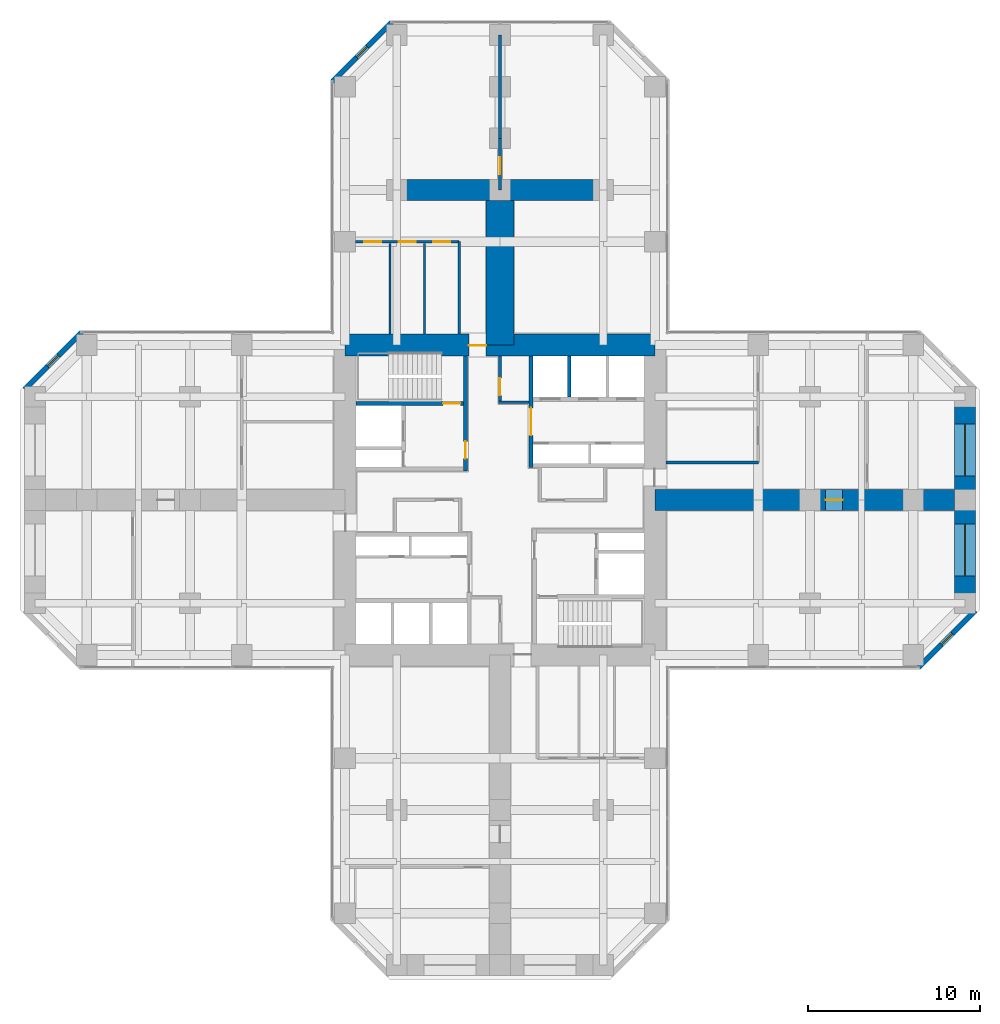
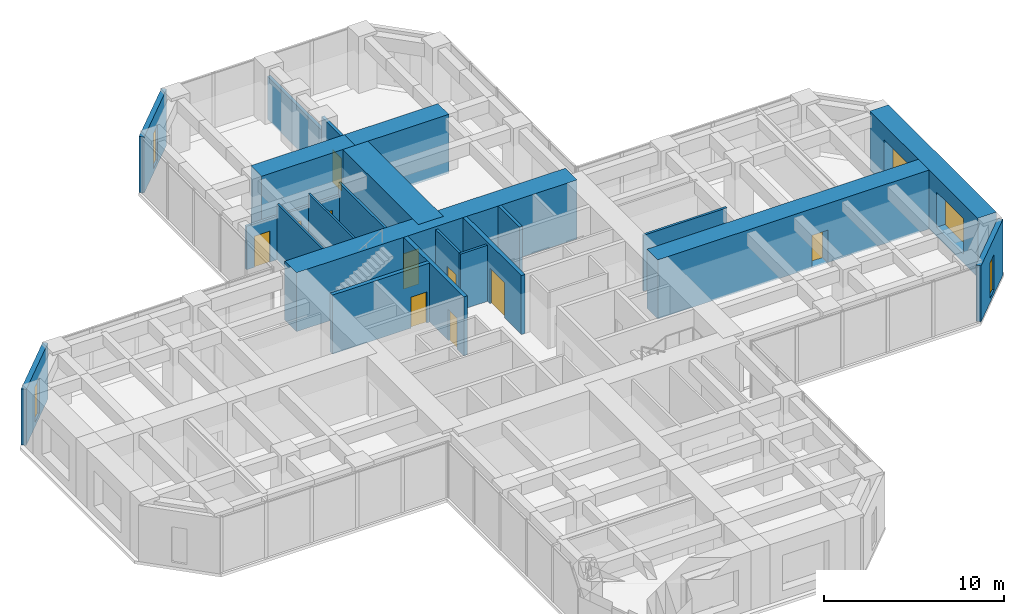
# One storey, part 10 of 12: 22 walls, 10 doors, 5 windows, 15 openings.
"""IFC4 building model written with IfcOpenShell, lengths in metres."""

from ifc_helpers import new_model, si_unit, direction, frame, frame_2d, origin, place, context, subcontext, project, spatial, rectangle, hollow_rectangle, extrude, material, layer, layer_set, constituent, constituent_set, type_object, element, fill, save


model = new_model("IFC4")

# Units and contexts
model_context = context("Model", 3, precision=1e-05, world=origin(), true_north=direction((0.0, 1.0)))
body_context = subcontext(model_context, "Body", "Model", "MODEL_VIEW")
ifc_project = project(units=[si_unit("LENGTHUNIT", "METRE"), si_unit("AREAUNIT", "SQUARE_METRE"), si_unit("VOLUMEUNIT", "CUBIC_METRE"), si_unit("PLANEANGLEUNIT", "RADIAN"), si_unit("MASSUNIT", "GRAM", prefix="KILO")], contexts=[model_context])

# Site, building, storey
site_placement = place(None, origin())
site = spatial("IfcSite", under=ifc_project, at=site_placement, CompositionType="ELEMENT")
building_placement = place(site_placement, origin())
building = spatial("IfcBuilding", under=site, at=building_placement, Name="Torre Cruceta", CompositionType="ELEMENT")
storey_placement = place(building_placement, frame((0.0, 0.0, 59.5)))
storey = spatial("IfcBuildingStorey", under=building, at=storey_placement, Name="L14", CompositionType="ELEMENT", Elevation=59.5)

# Wall, opening, door
ifc_material_1 = material(Name="Concrete G60 (fck 60 MPa)", Category="concrete")
ifc_layer_1 = layer(ifc_material_1, 0.25)
ifc_layer_set_1 = layer_set([ifc_layer_1], Name="Concrete G60 (fck 60 MPa)")
wall_type_1 = type_object("IfcWallType", Name="CORE INNER WALL 250 G60", PredefinedType="SHEAR", material=ifc_layer_set_1)
wall_1_placement = place(storey_placement, frame((1.800048828125, 1.875, 0.0), z_axis=(0.0, 0.0, 1.0), x_axis=(0.0, 1.0, 0.0)))
wall_1 = element("IfcWall", 1, at=wall_1_placement, inside=storey, type_object=wall_type_1, Name="CW4 L14 NE-CU", PredefinedType="SHEAR", context=body_context, shape_type="SweptSolid", body=[
    extrude(rectangle(XDim=6.47509765625, YDim=0.25, at=frame_2d((3.237548828125, 0.0))), origin(), (0.0, 0.0, 1.0), 4.0),
])
opening_1_placement = place(wall_1_placement, frame((1.875, 0.0, 0.0)))
opening_1 = element("IfcOpeningElement", 2, at=opening_1_placement, cuts=wall_1, Name="Opening D8", PredefinedType="OPENING", context=body_context, shape_type="SweptSolid", body=[
    extrude(rectangle(XDim=1.60009765625, YDim=2.39990234375, at=frame_2d((0.800048828125, 1.199951171875))), frame((0.0, 0.135009765625, 0.0), z_axis=(0.0, -1.0, 0.0), x_axis=(1.0, 0.0, 0.0)), (0.0, 0.0, 1.0), 0.27001953125),
])
ifc_material_2 = material(Name="Steel DX51D", Category="steel")
ifc_constituent_1 = constituent(ifc_material_2, Name="Leaf and frame")
ifc_material_3 = material(Name="Polyester powder coating", Category="paint")
ifc_constituent_2 = constituent(ifc_material_3, Name="Finish")
ifc_material_4 = material(Name="Fire-resisting glass", Category="glass")
ifc_constituent_3 = constituent(ifc_material_4, Name="Vision panel")
ifc_constituent_set_1 = constituent_set(constituents=[ifc_constituent_1, ifc_constituent_2, ifc_constituent_3], Name="Steel fire door with vision panels")
door_type_1 = type_object("IfcDoorType", Name="LIFT LOBBY DOUBLE DOOR 1600X2400", OperationType="DOUBLE_DOOR_DOUBLE_SWING", PredefinedType="DOOR", material=ifc_constituent_set_1)
door_1_placement = place(opening_1_placement, origin())
door_1 = element("IfcDoor", 3, at=door_1_placement, inside=storey, type_object=door_type_1, Name="D8 L14 NE-LOBBY", OperationType="DOUBLE_DOOR_DOUBLE_SWING", OverallHeight=2.39990234375, OverallWidth=1.60009765625, PredefinedType="DOOR", context=body_context, shape_type="SweptSolid", body=[
    extrude(rectangle(XDim=1.60009765625, YDim=2.39990234375, at=frame_2d((0.800048828125, 1.199951171875))), frame((0.0, 0.02490234375, 0.0), z_axis=(0.0, -1.0, 0.0), x_axis=(1.0, 0.0, 0.0)), (0.0, 0.0, 1.0), 0.050048828125),
])
fill(opening_1, door_1)

wall_2_placement = place(storey_placement, frame((-2.0, 1.675048828125, 0.0), z_axis=(0.0, 0.0, 1.0), x_axis=(0.0, 1.0, 0.0)))
wall_2 = element("IfcWall", 4, at=wall_2_placement, inside=storey, type_object=wall_type_1, Name="CW4 L14 NW-CU", PredefinedType="SHEAR", context=body_context, shape_type="SweptSolid", body=[
    extrude(rectangle(XDim=6.675048828125, YDim=0.25, at=frame_2d((3.33740234375, 0.0))), origin(), (0.0, 0.0, 1.0), 4.0),
])
opening_2_placement = place(wall_2_placement, frame((0.72509765625, 0.0, 0.0)))
opening_2 = element("IfcOpeningElement", 5, at=opening_2_placement, cuts=wall_2, Name="Opening D3", PredefinedType="OPENING", context=body_context, shape_type="SweptSolid", body=[
    extrude(rectangle(XDim=1.0, YDim=2.10009765625, at=frame_2d((0.5, 1.050048828125))), frame((0.0, 0.135009765625, 0.0), z_axis=(0.0, -1.0, 0.0), x_axis=(1.0, 0.0, 0.0)), (0.0, 0.0, 1.0), 0.27001953125),
])
ifc_material_5 = material(Name="Steel DX51D", Category="steel")
ifc_constituent_4 = constituent(ifc_material_5, Name="Leaf and frame")
ifc_material_6 = material(Name="Polyester powder coating", Category="paint")
ifc_constituent_5 = constituent(ifc_material_6, Name="Finish")
ifc_constituent_set_2 = constituent_set(constituents=[ifc_constituent_4, ifc_constituent_5], Name="Steel fire door")
door_type_2 = type_object("IfcDoorType", Name="FIRE DOOR 1000X2100", OperationType="SINGLE_SWING_LEFT", PredefinedType="DOOR", material=ifc_constituent_set_2)
door_2_placement = place(opening_2_placement, origin())
door_2 = element("IfcDoor", 6, at=door_2_placement, inside=storey, type_object=door_type_2, Name="D3 L14 NW-LOBBY", OperationType="SINGLE_SWING_LEFT", OverallHeight=2.10009765625, OverallWidth=1.0, PredefinedType="DOOR", context=body_context, shape_type="SweptSolid", body=[
    extrude(rectangle(XDim=1.0, YDim=2.10009765625, at=frame_2d((0.5, 1.050048828125))), frame((0.0, 0.02490234375, 0.0), z_axis=(0.0, -1.0, 0.0), x_axis=(1.0, 0.0, 0.0)), (0.0, 0.0, 1.0), 0.050048828125),
])
fill(opening_2, door_2)

wall_3_placement = place(storey_placement, frame((-2.125, 5.60009765625, 0.0), z_axis=(0.0, 0.0, 1.0), x_axis=(-1.0, 0.0, 0.0)))
wall_3 = element("IfcWall", 7, at=wall_3_placement, inside=storey, type_object=wall_type_1, Name="CW4 L14 NW-SV", PredefinedType="SHEAR", context=body_context, shape_type="SweptSolid", body=[
    extrude(rectangle(XDim=6.22509765625, YDim=0.25, at=frame_2d((3.112548828125, 0.0))), origin(), (0.0, 0.0, 1.0), 4.0),
])
opening_3_placement = place(wall_3_placement, frame((0.175048828125, 0.0, 0.0)))
opening_3 = element("IfcOpeningElement", 8, at=opening_3_placement, cuts=wall_3, Name="Opening D3", PredefinedType="OPENING", context=body_context, shape_type="SweptSolid", body=[
    extrude(rectangle(XDim=1.0, YDim=2.10009765625, at=frame_2d((0.5, 1.050048828125))), frame((0.0, 0.135009765625, 0.0), z_axis=(0.0, -1.0, 0.0), x_axis=(1.0, 0.0, 0.0)), (0.0, 0.0, 1.0), 0.27001953125),
])
door_3_placement = place(opening_3_placement, frame((1.0, 0.0, 0.0), z_axis=(0.0, 0.0, 1.0), x_axis=(-1.0, 0.0, 0.0)))
door_3 = element("IfcDoor", 9, at=door_3_placement, inside=storey, type_object=door_type_2, Name="D3 L14 NW-STAIR", OperationType="SINGLE_SWING_RIGHT", OverallHeight=2.10009765625, OverallWidth=1.0, PredefinedType="DOOR", context=body_context, shape_type="SweptSolid", body=[
    extrude(rectangle(XDim=1.0, YDim=2.10009765625, at=frame_2d((0.5, 1.050048828125))), frame((0.0, 0.025146484375, 0.0), z_axis=(0.0, -1.0, 0.0), x_axis=(1.0, 0.0, 0.0)), (0.0, 0.0, 1.0), 0.050048828125),
])
fill(opening_3, door_3)

ifc_material_7 = material(Name="Concrete G60 (fck 60 MPa)", Category="concrete")
ifc_layer_2 = layer(ifc_material_7, 1.300048828125)
ifc_layer_set_2 = layer_set([ifc_layer_2], Name="Concrete G60 (fck 60 MPa)")
wall_type_2 = type_object("IfcWallType", Name="CORE WALL 1300 G60", PredefinedType="SHEAR", material=ifc_layer_set_2)
wall_4_placement = place(storey_placement, frame((9.0, 9.0, 0.0), z_axis=(0.0, 0.0, 1.0), x_axis=(-1.0, 0.0, 0.0)))
wall_4 = element("IfcWall", 10, at=wall_4_placement, inside=storey, type_object=wall_type_2, Name="CW1 L14 CW-N", PredefinedType="SHEAR", context=body_context, shape_type="SweptSolid", body=[
    extrude(rectangle(XDim=18.0, YDim=1.300048828125, at=frame_2d((9.0, 0.0))), origin(), (0.0, 0.0, 1.0), 4.0),
])
opening_4_placement = place(wall_4_placement, frame((9.800048828125, 0.0, 0.0)))
opening_4 = element("IfcOpeningElement", 11, at=opening_4_placement, cuts=wall_4, Name="Opening D4", PredefinedType="OPENING", context=body_context, shape_type="SweptSolid", body=[
    extrude(rectangle(XDim=1.0, YDim=2.39990234375, at=frame_2d((0.5, 1.199951171875))), frame((0.0, 0.659912109375, 0.0), z_axis=(0.0, -1.0, 0.0), x_axis=(1.0, 0.0, 0.0)), (0.0, 0.0, 1.0), 1.320068359375),
])
ifc_material_8 = material(Name="Steel DX51D", Category="steel")
ifc_constituent_6 = constituent(ifc_material_8, Name="Leaf and frame")
ifc_material_9 = material(Name="Polyester powder coating", Category="paint")
ifc_constituent_7 = constituent(ifc_material_9, Name="Finish")
ifc_constituent_set_3 = constituent_set(constituents=[ifc_constituent_6, ifc_constituent_7], Name="Steel fire door")
door_type_3 = type_object("IfcDoorType", Name="CORE ARM DOOR 1000X2400", OperationType="SINGLE_SWING_RIGHT", PredefinedType="DOOR", material=ifc_constituent_set_3)
door_4_placement = place(opening_4_placement, frame((1.0, 0.0, 0.0), z_axis=(0.0, 0.0, 1.0), x_axis=(-1.0, 0.0, 0.0)))
door_4 = element("IfcDoor", 12, at=door_4_placement, inside=storey, type_object=door_type_3, Name="D4 L14 CW-N", OperationType="SINGLE_SWING_RIGHT", OverallHeight=2.39990234375, OverallWidth=1.0, PredefinedType="DOOR", context=body_context, shape_type="SweptSolid", body=[
    extrude(rectangle(XDim=1.0, YDim=2.39990234375, at=frame_2d((0.5, 1.199951171875))), frame((0.0, -0.005126953125, 0.0), z_axis=(0.0, -1.0, 0.0), x_axis=(1.0, 0.0, 0.0)), (0.0, 0.0, 1.0), 0.050048828125),
])
fill(opening_4, door_4)

ifc_material_10 = material(Name="Concrete G25 (fck 25 MPa)", Category="concrete")
ifc_layer_3 = layer(ifc_material_10, 0.199951171875)
ifc_layer_set_3 = layer_set([ifc_layer_3], Name="Concrete G25 (fck 25 MPa)")
wall_type_3 = type_object("IfcWallType", Name="CORRIDOR WALL 200", PredefinedType="SOLIDWALL", material=ifc_layer_set_3)
wall_5_placement = place(storey_placement, frame((0.0, 18.0, 0.0), z_axis=(0.0, 0.0, 1.0), x_axis=(0.0, 1.0, 0.0)))
wall_5 = element("IfcWall", 13, at=wall_5_placement, inside=storey, type_object=wall_type_3, Name="PT3 spine line L14 N", PredefinedType="SOLIDWALL", context=body_context, shape_type="SweptSolid", body=[
    extrude(rectangle(XDim=3.0, YDim=0.199951171875, at=frame_2d((1.5, 0.0))), origin(), (0.0, 0.0, 1.0), 3.800048828125),
])
opening_5_placement = place(wall_5_placement, frame((0.89990234375, 0.0, 0.0)))
opening_5 = element("IfcOpeningElement", 14, at=opening_5_placement, cuts=wall_5, Name="Opening D14", PredefinedType="OPENING", context=body_context, shape_type="SweptSolid", body=[
    extrude(rectangle(XDim=1.0, YDim=2.199951171875, at=frame_2d((0.5, 1.10009765625))), frame((0.0, 0.10986328125, 0.0), z_axis=(0.0, -1.0, 0.0), x_axis=(1.0, 0.0, 0.0)), (0.0, 0.0, 1.0), 0.219970703125),
])
ifc_material_11 = material(Name="Steel DX51D", Category="steel")
ifc_constituent_8 = constituent(ifc_material_11, Name="Leaf and frame")
ifc_material_12 = material(Name="Polyester powder coating", Category="paint")
ifc_constituent_9 = constituent(ifc_material_12, Name="Finish")
ifc_material_13 = material(Name="Fire-resisting glass", Category="glass")
ifc_constituent_10 = constituent(ifc_material_13, Name="Vision panel")
ifc_constituent_set_4 = constituent_set(constituents=[ifc_constituent_8, ifc_constituent_9, ifc_constituent_10], Name="Steel fire door with vision panel")
door_type_4 = type_object("IfcDoorType", Name="FIRE DOOR VISION PANEL 1000X2200", OperationType="SINGLE_SWING_RIGHT", PredefinedType="DOOR", material=ifc_constituent_set_4)
door_5_placement = place(opening_5_placement, origin())
door_5 = element("IfcDoor", 15, at=door_5_placement, inside=storey, type_object=door_type_4, Name="D14 L14-N-SP1", OperationType="SINGLE_SWING_LEFT", OverallHeight=2.199951171875, OverallWidth=1.0, PredefinedType="DOOR", context=body_context, shape_type="SweptSolid", body=[
    extrude(rectangle(XDim=1.0, YDim=2.199951171875, at=frame_2d((0.5, 1.10009765625))), frame((0.0, 0.02490234375, 0.0), z_axis=(0.0, -1.0, 0.0), x_axis=(1.0, 0.0, 0.0)), (0.0, 0.0, 1.0), 0.050048828125),
])
fill(opening_5, door_5)

# Walls
wall_6_placement = place(storey_placement, frame((0.0, 21.0, 0.0), z_axis=(0.0, 0.0, 1.0), x_axis=(0.0, 1.0, 0.0)))
element("IfcWall", 16, at=wall_6_placement, inside=storey, type_object=wall_type_3, Name="PT3 spine line L14 N 2", PredefinedType="SOLIDWALL", context=body_context, shape_type="SweptSolid", body=[
    extrude(rectangle(XDim=6.0, YDim=0.199951171875, at=frame_2d((3.0, 0.0))), origin(), (0.0, 0.0, 1.0), 2.89990234375),
])
ifc_material_14 = material(Name="Concrete G60 (fck 60 MPa)", Category="concrete")
ifc_layer_4 = layer(ifc_material_14, 1.199951171875)
ifc_layer_set_4 = layer_set([ifc_layer_4], Name="Concrete G60 (fck 60 MPa)")
wall_type_4 = type_object("IfcWallType", Name="CROSS WALL 1200 G60", PredefinedType="SHEAR", material=ifc_layer_set_4)
for number, where, z_axis, x_axis, name in (
    (17, (0.0, 18.0, 0.0), (0.0, 0.0, 1.0), (-1.0, 0.0, 0.0), "XW1 cross wall L14 N L"),
    (18, (0.0, 18.0, 0.0), (0.0, 0.0, 1.0), (1.0, 0.0, 0.0), "XW1 cross wall L14 N R"),
):
    element("IfcWall", number, at=place(storey_placement, frame(where, z_axis=z_axis, x_axis=x_axis)), inside=storey, type_object=wall_type_4, Name=name, PredefinedType="SHEAR", context=body_context, shape_type="SweptSolid", body=[
        extrude(rectangle(XDim=6.0, YDim=1.199951171875, at=frame_2d((3.0, 0.0))), origin(), (0.0, 0.0, 1.0), 4.0),
    ])

# Wall, opening, window
ifc_material_15 = material(Name="Concrete G30 (fck 30 MPa)", Category="concrete")
ifc_layer_5 = layer(ifc_material_15, 0.300048828125)
ifc_layer_set_5 = layer_set([ifc_layer_5], Name="Concrete G30 (fck 30 MPa)")
wall_type_5 = type_object("IfcWallType", Name="EXPOSED CONCRETE FACADE WALL 300", PredefinedType="SOLIDWALL", material=ifc_layer_set_5)
wall_7_placement = place(storey_placement, frame((24.29833984375, -9.719970703125, 0.0), z_axis=(0.0, 0.0, 1.0), x_axis=(0.707106781187, 0.707106781187, 0.0)))
wall_7 = element("IfcWall", 19, at=wall_7_placement, inside=storey, type_object=wall_type_5, Name="EW1 facade wall L14 E chamfer 01", PredefinedType="SOLIDWALL", context=body_context, shape_type="SweptSolid", body=[
    extrude(rectangle(XDim=4.66943359375, YDim=0.300048828125, at=frame_2d((2.334716796875, 0.0))), origin(), (0.0, 0.0, 1.0), 3.800048828125),
])
opening_6_placement = place(wall_7_placement, frame((1.884765625, 0.0, 0.300048828125)))
opening_6 = element("IfcOpeningElement", 20, at=opening_6_placement, cuts=wall_7, Name="Opening WN5", PredefinedType="OPENING", context=body_context, shape_type="SweptSolid", body=[
    extrude(rectangle(XDim=0.89990234375, YDim=2.39990234375, at=frame_2d((0.449951171875, 1.199951171875))), frame((0.0, 0.159912109375, 0.0), z_axis=(0.0, -1.0, 0.0), x_axis=(1.0, 0.0, 0.0)), (0.0, 0.0, 1.0), 0.320068359375),
])
ifc_material_16 = material(Name="Aluminium window frame", Category="aluminium")
ifc_constituent_11 = constituent(ifc_material_16, Name="Frame")
ifc_material_17 = material(Name="Laminated insulating glass unit, low-iron clear", Category="glass")
ifc_constituent_12 = constituent(ifc_material_17, Name="Glazing")
ifc_constituent_set_5 = constituent_set(constituents=[ifc_constituent_11, ifc_constituent_12], Name="Aluminium window")
window_type_1 = type_object("IfcWindowType", Name="CHAMFER SLOT WINDOW 900X2400", PartitioningType="SINGLE_PANEL", PredefinedType="WINDOW", material=ifc_constituent_set_5)
window_1_placement = place(opening_6_placement, origin())
window_1 = element("IfcWindow", 21, at=window_1_placement, inside=storey, type_object=window_type_1, Name="WN5 L14 E 1", OverallHeight=2.39990234375, OverallWidth=0.89990234375, PartitioningType="SINGLE_PANEL", PredefinedType="WINDOW", context=body_context, shape_type="SweptSolid", body=[
    extrude(hollow_rectangle(XDim=0.89990234375, YDim=2.39990234375, WallThickness=0.06005859375, at=frame_2d((0.449951171875, 1.199951171875))), frame((0.0, 0.030029296875, 0.0), z_axis=(0.0, -1.0, 0.0), x_axis=(1.0, 0.0, 0.0)), (0.0, 0.0, 1.0), 0.06005859375),
    extrude(rectangle(XDim=0.77880859375, YDim=2.27880859375, at=frame_2d((0.449951171875, 1.199951171875))), frame((0.0, 0.030029296875, 0.0), z_axis=(0.0, -1.0, 0.0), x_axis=(1.0, 0.0, 0.0)), (0.0, 0.0, 1.0), 0.06005859375),
])
fill(opening_6, window_1)

wall_8_placement = place(storey_placement, frame((-6.29833984375, 27.719970703125, 0.0), z_axis=(0.0, 0.0, 1.0), x_axis=(-0.707106781187, -0.707106781187, 0.0)))
wall_8 = element("IfcWall", 22, at=wall_8_placement, inside=storey, type_object=wall_type_5, Name="EW1 facade wall L14 N chamfer 08", PredefinedType="SOLIDWALL", context=body_context, shape_type="SweptSolid", body=[
    extrude(rectangle(XDim=4.8388671875, YDim=0.300048828125, at=frame_2d((2.41943359375, 0.0))), origin(), (0.0, 0.0, 1.0), 3.800048828125),
])
opening_7_placement = place(wall_8_placement, frame((1.969482421875, 0.0, 0.300048828125)))
opening_7 = element("IfcOpeningElement", 23, at=opening_7_placement, cuts=wall_8, Name="Opening WN5", PredefinedType="OPENING", context=body_context, shape_type="SweptSolid", body=[
    extrude(rectangle(XDim=0.89990234375, YDim=2.39990234375, at=frame_2d((0.449951171875, 1.199951171875))), frame((0.0, 0.159912109375, 0.0), z_axis=(0.0, -1.0, 0.0), x_axis=(1.0, 0.0, 0.0)), (0.0, 0.0, 1.0), 0.320068359375),
])
window_2_placement = place(opening_7_placement, origin())
window_2 = element("IfcWindow", 24, at=window_2_placement, inside=storey, type_object=window_type_1, Name="WN5 L14 N 1", OverallHeight=2.39990234375, OverallWidth=0.89990234375, PartitioningType="SINGLE_PANEL", PredefinedType="WINDOW", context=body_context, shape_type="SweptSolid", body=[
    extrude(hollow_rectangle(XDim=0.89990234375, YDim=2.39990234375, WallThickness=0.06005859375, at=frame_2d((0.449951171875, 1.199951171875))), frame((0.0, 0.030029296875, 0.0), z_axis=(0.0, -1.0, 0.0), x_axis=(1.0, 0.0, 0.0)), (0.0, 0.0, 1.0), 0.06005859375),
    extrude(rectangle(XDim=0.77880859375, YDim=2.27880859375, at=frame_2d((0.449951171875, 1.199951171875))), frame((0.0, 0.030029296875, 0.0), z_axis=(0.0, -1.0, 0.0), x_axis=(1.0, 0.0, 0.0)), (0.0, 0.0, 1.0), 0.06005859375),
])
fill(opening_7, window_2)

wall_9_placement = place(storey_placement, frame((-24.29833984375, 9.719970703125, 0.0), z_axis=(0.0, 0.0, 1.0), x_axis=(-0.707106781187, -0.707106781187, 0.0)))
wall_9 = element("IfcWall", 25, at=wall_9_placement, inside=storey, type_object=wall_type_5, Name="EW1 facade wall L14 W chamfer 11", PredefinedType="SOLIDWALL", context=body_context, shape_type="SweptSolid", body=[
    extrude(rectangle(XDim=4.66943359375, YDim=0.300048828125, at=frame_2d((2.334716796875, 0.0))), origin(), (0.0, 0.0, 1.0), 3.800048828125),
])
opening_8_placement = place(wall_9_placement, frame((1.884765625, 0.0, 0.300048828125)))
opening_8 = element("IfcOpeningElement", 26, at=opening_8_placement, cuts=wall_9, Name="Opening WN5", PredefinedType="OPENING", context=body_context, shape_type="SweptSolid", body=[
    extrude(rectangle(XDim=0.89990234375, YDim=2.39990234375, at=frame_2d((0.449951171875, 1.199951171875))), frame((0.0, 0.159912109375, 0.0), z_axis=(0.0, -1.0, 0.0), x_axis=(1.0, 0.0, 0.0)), (0.0, 0.0, 1.0), 0.320068359375),
])
window_3_placement = place(opening_8_placement, origin())
window_3 = element("IfcWindow", 27, at=window_3_placement, inside=storey, type_object=window_type_1, Name="WN5 L14 W 1", OverallHeight=2.39990234375, OverallWidth=0.89990234375, PartitioningType="SINGLE_PANEL", PredefinedType="WINDOW", context=body_context, shape_type="SweptSolid", body=[
    extrude(hollow_rectangle(XDim=0.89990234375, YDim=2.39990234375, WallThickness=0.06005859375, at=frame_2d((0.449951171875, 1.199951171875))), frame((0.0, 0.030029296875, 0.0), z_axis=(0.0, -1.0, 0.0), x_axis=(1.0, 0.0, 0.0)), (0.0, 0.0, 1.0), 0.06005859375),
    extrude(rectangle(XDim=0.77880859375, YDim=2.27880859375, at=frame_2d((0.449951171875, 1.199951171875))), frame((0.0, 0.030029296875, 0.0), z_axis=(0.0, -1.0, 0.0), x_axis=(1.0, 0.0, 0.0)), (0.0, 0.0, 1.0), 0.06005859375),
])
fill(opening_8, window_3)

# Wall
ifc_material_18 = material(Name="Concrete G35 (fck 35 MPa)", Category="concrete")
ifc_layer_6 = layer(ifc_material_18, 0.199951171875)
ifc_layer_set_6 = layer_set([ifc_layer_6], Name="Concrete G35 (fck 35 MPa)")
wall_type_6 = type_object("IfcWallType", Name="LIFT SHAFT WALL 200", PredefinedType="PARTITIONING", material=ifc_layer_set_6)
wall_10_placement = place(storey_placement, frame((4.033447265625, 5.97509765625, 0.0), z_axis=(0.0, 0.0, 1.0), x_axis=(0.0, 1.0, 0.0)))
element("IfcWall", 28, at=wall_10_placement, inside=storey, type_object=wall_type_6, Name="SW1 L14 NE-LS1", PredefinedType="PARTITIONING", context=body_context, shape_type="SweptSolid", body=[
    extrude(rectangle(XDim=2.375, YDim=0.199951171875, at=frame_2d((1.1875, 0.0))), origin(), (0.0, 0.0, 1.0), 4.0),
])

# Wall, openings, windows
ifc_material_19 = material(Name="Concrete G60 (fck 60 MPa)", Category="concrete")
ifc_layer_7 = layer(ifc_material_19, 1.199951171875)
ifc_layer_set_7 = layer_set([ifc_layer_7], Name="Concrete G60 (fck 60 MPa)")
wall_type_7 = type_object("IfcWallType", Name="NOSE WALL 1200 G60", PredefinedType="SHEAR", material=ifc_layer_set_7)
wall_11_placement = place(storey_placement, frame((27.0, -6.0, 0.0), z_axis=(0.0, 0.0, 1.0), x_axis=(0.0, 1.0, 0.0)))
wall_11 = element("IfcWall", 29, at=wall_11_placement, inside=storey, type_object=wall_type_7, Name="NW1 nose wall L14 E", PredefinedType="SHEAR", context=body_context, shape_type="SweptSolid", body=[
    extrude(rectangle(XDim=12.0, YDim=1.199951171875, at=frame_2d((6.0, 0.0))), origin(), (0.0, 0.0, 1.0), 4.0),
])
opening_9_placement = place(wall_11_placement, frame((1.60009765625, 0.0, 0.60009765625)))
opening_9 = element("IfcOpeningElement", 30, at=opening_9_placement, cuts=wall_11, Name="Opening WN6", PredefinedType="OPENING", context=body_context, shape_type="SweptSolid", body=[
    extrude(rectangle(XDim=3.0, YDim=2.39990234375, at=frame_2d((1.5, 1.199951171875))), frame((0.0, 0.60986328125, 0.0), z_axis=(0.0, -1.0, 0.0), x_axis=(1.0, 0.0, 0.0)), (0.0, 0.0, 1.0), 1.219970703125),
])
opening_10_placement = place(wall_11_placement, frame((7.39990234375, 0.0, 0.60009765625)))
opening_10 = element("IfcOpeningElement", 31, at=opening_10_placement, cuts=wall_11, Name="Opening WN6", PredefinedType="OPENING", context=body_context, shape_type="SweptSolid", body=[
    extrude(rectangle(XDim=3.0, YDim=2.39990234375, at=frame_2d((1.5, 1.199951171875))), frame((0.0, 0.60986328125, 0.0), z_axis=(0.0, -1.0, 0.0), x_axis=(1.0, 0.0, 0.0)), (0.0, 0.0, 1.0), 1.219970703125),
])
ifc_material_20 = material(Name="Aluminium window frame", Category="aluminium")
ifc_constituent_13 = constituent(ifc_material_20, Name="Frame")
ifc_material_21 = material(Name="Laminated insulating glass unit, low-iron clear", Category="glass")
ifc_constituent_14 = constituent(ifc_material_21, Name="Glazing")
ifc_constituent_set_6 = constituent_set(constituents=[ifc_constituent_13, ifc_constituent_14], Name="Aluminium window")
window_type_2 = type_object("IfcWindowType", Name="NOSE WALL WINDOW 3000X2400", PartitioningType="SINGLE_PANEL", PredefinedType="WINDOW", material=ifc_constituent_set_6)
window_4_placement = place(opening_9_placement, origin())
window_4 = element("IfcWindow", 32, at=window_4_placement, inside=storey, type_object=window_type_2, Name="WN6 L14 E 1", OverallHeight=2.39990234375, OverallWidth=3.0, PartitioningType="SINGLE_PANEL", PredefinedType="WINDOW", context=body_context, shape_type="SweptSolid", body=[
    extrude(hollow_rectangle(XDim=3.0, YDim=2.39990234375, WallThickness=0.06005859375, at=frame_2d((1.5, 1.199951171875))), frame((0.0, 0.030029296875, 0.0), z_axis=(0.0, -1.0, 0.0), x_axis=(1.0, 0.0, 0.0)), (0.0, 0.0, 1.0), 0.06005859375),
    extrude(rectangle(XDim=2.87890625, YDim=2.27880859375, at=frame_2d((1.5, 1.199951171875))), frame((0.0, 0.030029296875, 0.0), z_axis=(0.0, -1.0, 0.0), x_axis=(1.0, 0.0, 0.0)), (0.0, 0.0, 1.0), 0.06005859375),
])
fill(opening_9, window_4)
window_5_placement = place(opening_10_placement, origin())
window_5 = element("IfcWindow", 33, at=window_5_placement, inside=storey, type_object=window_type_2, Name="WN6 L14 E 2", OverallHeight=2.39990234375, OverallWidth=3.0, PartitioningType="SINGLE_PANEL", PredefinedType="WINDOW", context=body_context, shape_type="SweptSolid", body=[
    extrude(hollow_rectangle(XDim=3.0, YDim=2.39990234375, WallThickness=0.06005859375, at=frame_2d((1.5, 1.199951171875))), frame((0.0, 0.030029296875, 0.0), z_axis=(0.0, -1.0, 0.0), x_axis=(1.0, 0.0, 0.0)), (0.0, 0.0, 1.0), 0.06005859375),
    extrude(rectangle(XDim=2.87890625, YDim=2.27880859375, at=frame_2d((1.5, 1.199951171875))), frame((0.0, 0.030029296875, 0.0), z_axis=(0.0, -1.0, 0.0), x_axis=(1.0, 0.0, 0.0)), (0.0, 0.0, 1.0), 0.06005859375),
])
fill(opening_10, window_5)

# Wall, opening, door
ifc_material_22 = material(Name="Plasterboard on steel studs", Category="steel")
ifc_layer_8 = layer(ifc_material_22, 0.14990234375)
ifc_layer_set_8 = layer_set([ifc_layer_8], Name="Plasterboard on steel studs")
wall_type_8 = type_object("IfcWallType", Name="PARTITION 150", PredefinedType="PARTITIONING", material=ifc_layer_set_8)
wall_12_placement = place(storey_placement, frame((0.0, 5.675048828125, 0.0), z_axis=(0.0, 0.0, 1.0), x_axis=(0.0, 1.0, 0.0)))
wall_12 = element("IfcWall", 34, at=wall_12_placement, inside=storey, type_object=wall_type_8, Name="PT1 L14-CORE-LEGN-E-W1", PredefinedType="PARTITIONING", context=body_context, shape_type="SweptSolid", body=[
    extrude(rectangle(XDim=2.675048828125, YDim=0.14990234375, at=frame_2d((1.33740234375, 0.0))), origin(), (0.0, 0.0, 1.0), 3.800048828125),
])
opening_11_placement = place(wall_12_placement, frame((0.39990234375, 0.0, 0.0)))
opening_11 = element("IfcOpeningElement", 35, at=opening_11_placement, cuts=wall_12, Name="Opening D3", PredefinedType="OPENING", context=body_context, shape_type="SweptSolid", body=[
    extrude(rectangle(XDim=1.0, YDim=2.10009765625, at=frame_2d((0.5, 1.050048828125))), frame((0.0, 0.0849609375, 0.0), z_axis=(0.0, -1.0, 0.0), x_axis=(1.0, 0.0, 0.0)), (0.0, 0.0, 1.0), 0.169921875),
])
door_6_placement = place(opening_11_placement, frame((1.0, 0.0, 0.0), z_axis=(0.0, 0.0, 1.0), x_axis=(-1.0, 0.0, 0.0)))
door_6 = element("IfcDoor", 36, at=door_6_placement, inside=storey, type_object=door_type_2, Name="D3 L14-CORE-LEGN-E-W1-D1", OperationType="SINGLE_SWING_RIGHT", OverallHeight=2.10009765625, OverallWidth=1.0, PredefinedType="DOOR", context=body_context, shape_type="SweptSolid", body=[
    extrude(rectangle(XDim=1.0, YDim=2.10009765625, at=frame_2d((0.5, 1.050048828125))), frame((0.0, 0.025146484375, 0.0), z_axis=(0.0, -1.0, 0.0), x_axis=(1.0, 0.0, 0.0)), (0.0, 0.0, 1.0), 0.050048828125),
])
fill(opening_11, door_6)

# Wall
wall_13_placement = place(storey_placement, frame((1.675048828125, 5.675048828125, 0.0), z_axis=(0.0, 0.0, 1.0), x_axis=(-1.0, 0.0, 0.0)))
element("IfcWall", 37, at=wall_13_placement, inside=storey, type_object=wall_type_8, Name="PT1 L14-CORE-LEGN-E-W2", PredefinedType="PARTITIONING", context=body_context, shape_type="SweptSolid", body=[
    extrude(rectangle(XDim=1.75, YDim=0.14990234375, at=frame_2d((0.875, 0.0))), origin(), (0.0, 0.0, 1.0), 3.800048828125),
])

# Wall, openings, doors
wall_14_placement = place(storey_placement, frame((-2.375, 15.0, 0.0), z_axis=(0.0, 0.0, 1.0), x_axis=(-1.0, 0.0, 0.0)))
wall_14 = element("IfcWall", 38, at=wall_14_placement, inside=storey, type_object=wall_type_8, Name="PT1 L14-N-BFL", PredefinedType="PARTITIONING", context=body_context, shape_type="SweptSolid", body=[
    extrude(rectangle(XDim=6.02490234375, YDim=0.14990234375, at=frame_2d((3.012451171875, 0.0))), origin(), (0.0, 0.0, 1.0), 2.949951171875),
])
opening_12_placement = place(wall_14_placement, frame((0.504150390625, 0.0, 0.0)))
opening_12 = element("IfcOpeningElement", 39, at=opening_12_placement, cuts=wall_14, Name="Opening D3", PredefinedType="OPENING", context=body_context, shape_type="SweptSolid", body=[
    extrude(rectangle(XDim=1.0, YDim=2.10009765625, at=frame_2d((0.5, 1.050048828125))), frame((0.0, 0.0849609375, 0.0), z_axis=(0.0, -1.0, 0.0), x_axis=(1.0, 0.0, 0.0)), (0.0, 0.0, 1.0), 0.169921875),
])
opening_13_placement = place(wall_14_placement, frame((2.512451171875, 0.0, 0.0)))
opening_13 = element("IfcOpeningElement", 40, at=opening_13_placement, cuts=wall_14, Name="Opening D3", PredefinedType="OPENING", context=body_context, shape_type="SweptSolid", body=[
    extrude(rectangle(XDim=1.0, YDim=2.10009765625, at=frame_2d((0.5, 1.050048828125))), frame((0.0, 0.0849609375, 0.0), z_axis=(0.0, -1.0, 0.0), x_axis=(1.0, 0.0, 0.0)), (0.0, 0.0, 1.0), 0.169921875),
])
opening_14_placement = place(wall_14_placement, frame((4.520751953125, 0.0, 0.0)))
opening_14 = element("IfcOpeningElement", 41, at=opening_14_placement, cuts=wall_14, Name="Opening D3", PredefinedType="OPENING", context=body_context, shape_type="SweptSolid", body=[
    extrude(rectangle(XDim=1.0, YDim=2.10009765625, at=frame_2d((0.5, 1.050048828125))), frame((0.0, 0.0849609375, 0.0), z_axis=(0.0, -1.0, 0.0), x_axis=(1.0, 0.0, 0.0)), (0.0, 0.0, 1.0), 0.169921875),
])
door_7_placement = place(opening_12_placement, origin())
door_7 = element("IfcDoor", 42, at=door_7_placement, inside=storey, type_object=door_type_2, Name="D3 L14-N-BFL-D1", OperationType="SINGLE_SWING_LEFT", OverallHeight=2.10009765625, OverallWidth=1.0, PredefinedType="DOOR", context=body_context, shape_type="SweptSolid", body=[
    extrude(rectangle(XDim=1.0, YDim=2.10009765625, at=frame_2d((0.5, 1.050048828125))), frame((0.0, 0.02490234375, 0.0), z_axis=(0.0, -1.0, 0.0), x_axis=(1.0, 0.0, 0.0)), (0.0, 0.0, 1.0), 0.050048828125),
])
fill(opening_12, door_7)
door_8_placement = place(opening_13_placement, origin())
door_8 = element("IfcDoor", 43, at=door_8_placement, inside=storey, type_object=door_type_2, Name="D3 L14-N-BFL-D2", OperationType="SINGLE_SWING_LEFT", OverallHeight=2.10009765625, OverallWidth=1.0, PredefinedType="DOOR", context=body_context, shape_type="SweptSolid", body=[
    extrude(rectangle(XDim=1.0, YDim=2.10009765625, at=frame_2d((0.5, 1.050048828125))), frame((0.0, 0.02490234375, 0.0), z_axis=(0.0, -1.0, 0.0), x_axis=(1.0, 0.0, 0.0)), (0.0, 0.0, 1.0), 0.050048828125),
])
fill(opening_13, door_8)
door_9_placement = place(opening_14_placement, origin())
door_9 = element("IfcDoor", 44, at=door_9_placement, inside=storey, type_object=door_type_2, Name="D3 L14-N-BFL-D3", OperationType="SINGLE_SWING_LEFT", OverallHeight=2.10009765625, OverallWidth=1.0, PredefinedType="DOOR", context=body_context, shape_type="SweptSolid", body=[
    extrude(rectangle(XDim=1.0, YDim=2.10009765625, at=frame_2d((0.5, 1.050048828125))), frame((0.0, 0.02490234375, 0.0), z_axis=(0.0, -1.0, 0.0), x_axis=(1.0, 0.0, 0.0)), (0.0, 0.0, 1.0), 0.050048828125),
])
fill(opening_14, door_9)

# Walls
for number, where, z_axis, x_axis, name in (
    (45, (-2.375, 9.64990234375, 0.0), (0.0, 0.0, 1.0), (0.0, 1.0, 0.0), "PT1 L14-N-BSL"),
    (46, (9.64990234375, 2.175048828125, 0.0), (0.0, 0.0, 1.0), (1.0, 0.0, 0.0), "PT1 L14-E-BSL"),
):
    element("IfcWall", number, at=place(storey_placement, frame(where, z_axis=z_axis, x_axis=x_axis)), inside=storey, type_object=wall_type_8, Name=name, PredefinedType="PARTITIONING", context=body_context, shape_type="SweptSolid", body=[
        extrude(rectangle(XDim=5.35009765625, YDim=0.14990234375, at=frame_2d((2.675048828125, 0.0))), origin(), (0.0, 0.0, 1.0), 3.800048828125),
    ])

# Wall, opening, door
ifc_material_23 = material(Name="Concrete G60 (fck 60 MPa)", Category="concrete")
ifc_layer_9 = layer(ifc_material_23, 1.199951171875)
ifc_layer_set_9 = layer_set([ifc_layer_9], Name="Concrete G60 (fck 60 MPa)")
wall_type_9 = type_object("IfcWallType", Name="SPINE WALL 1200 G60", PredefinedType="SHEAR", material=ifc_layer_set_9)
wall_15_placement = place(storey_placement, frame((9.0, 0.0, 0.0), z_axis=(0.0, 0.0, 1.0), x_axis=(1.0, 0.0, 0.0)))
wall_15 = element("IfcWall", 47, at=wall_15_placement, inside=storey, type_object=wall_type_9, Name="SW3 spine wall L14 E", PredefinedType="SHEAR", context=body_context, shape_type="SweptSolid", body=[
    extrude(rectangle(XDim=18.0, YDim=1.199951171875, at=frame_2d((9.0, 0.0))), origin(), (0.0, 0.0, 1.0), 4.0),
])
opening_15_placement = place(wall_15_placement, frame((9.89990234375, 0.0, 0.0)))
opening_15 = element("IfcOpeningElement", 48, at=opening_15_placement, cuts=wall_15, Name="Opening D14", PredefinedType="OPENING", context=body_context, shape_type="SweptSolid", body=[
    extrude(rectangle(XDim=1.0, YDim=2.199951171875, at=frame_2d((0.5, 1.10009765625))), frame((0.0, 0.60986328125, 0.0), z_axis=(0.0, -1.0, 0.0), x_axis=(1.0, 0.0, 0.0)), (0.0, 0.0, 1.0), 1.219970703125),
])
door_10_placement = place(opening_15_placement, origin())
door_10 = element("IfcDoor", 49, at=door_10_placement, inside=storey, type_object=door_type_4, Name="D14 L14-E-SP1", OperationType="SINGLE_SWING_RIGHT", OverallHeight=2.199951171875, OverallWidth=1.0, PredefinedType="DOOR", context=body_context, shape_type="SweptSolid", body=[
    extrude(rectangle(XDim=1.0, YDim=2.199951171875, at=frame_2d((0.5, 1.10009765625))), frame((0.0, 0.02490234375, 0.0), z_axis=(0.0, -1.0, 0.0), x_axis=(1.0, 0.0, 0.0)), (0.0, 0.0, 1.0), 0.050048828125),
])
fill(opening_15, door_10)

# Walls
ifc_material_24 = material(Name="Concrete G60 (fck 60 MPa)", Category="concrete")
ifc_layer_10 = layer(ifc_material_24, 1.60009765625)
ifc_layer_set_10 = layer_set([ifc_layer_10], Name="Concrete G60 (fck 60 MPa)")
wall_type_10 = type_object("IfcWallType", Name="SPINE WALL 1600 G60", PredefinedType="SHEAR", material=ifc_layer_set_10)
wall_16_placement = place(storey_placement, frame((0.0, 9.0, 0.0), z_axis=(0.0, 0.0, 1.0), x_axis=(0.0, 1.0, 0.0)))
element("IfcWall", 50, at=wall_16_placement, inside=storey, type_object=wall_type_10, Name="SW2 spine wall L14 N", PredefinedType="SHEAR", context=body_context, shape_type="SweptSolid", body=[
    extrude(rectangle(XDim=9.0, YDim=1.60009765625, at=frame_2d((4.5, 0.0))), origin(), (0.0, 0.0, 1.0), 4.0),
])
ifc_material_25 = material(Name="Plasterboard on steel studs", Category="steel")
ifc_layer_11 = layer(ifc_material_25, 0.1201171875)
ifc_layer_set_11 = layer_set([ifc_layer_11], Name="Plasterboard on steel studs")
wall_type_11 = type_object("IfcWallType", Name="WC PARTITION 120", PredefinedType="PLUMBINGWALL", material=ifc_layer_set_11)
for number, where, z_axis, x_axis, name in (
    (51, (-4.38330078125, 9.64990234375, 0.0), (0.0, 0.0, 1.0), (0.0, 1.0, 0.0), "PT5 L14-N-BDL1"),
    (52, (-6.3916015625, 9.64990234375, 0.0), (0.0, 0.0, 1.0), (0.0, 1.0, 0.0), "PT5 L14-N-BDL2"),
):
    element("IfcWall", number, at=place(storey_placement, frame(where, z_axis=z_axis, x_axis=x_axis)), inside=storey, type_object=wall_type_11, Name=name, PredefinedType="PLUMBINGWALL", context=body_context, shape_type="SweptSolid", body=[
        extrude(rectangle(XDim=5.25, YDim=0.1201171875, at=frame_2d((2.625, 0.0))), origin(), (0.0, 0.0, 1.0), 3.800048828125),
    ])

save(model, "model.ifc")
